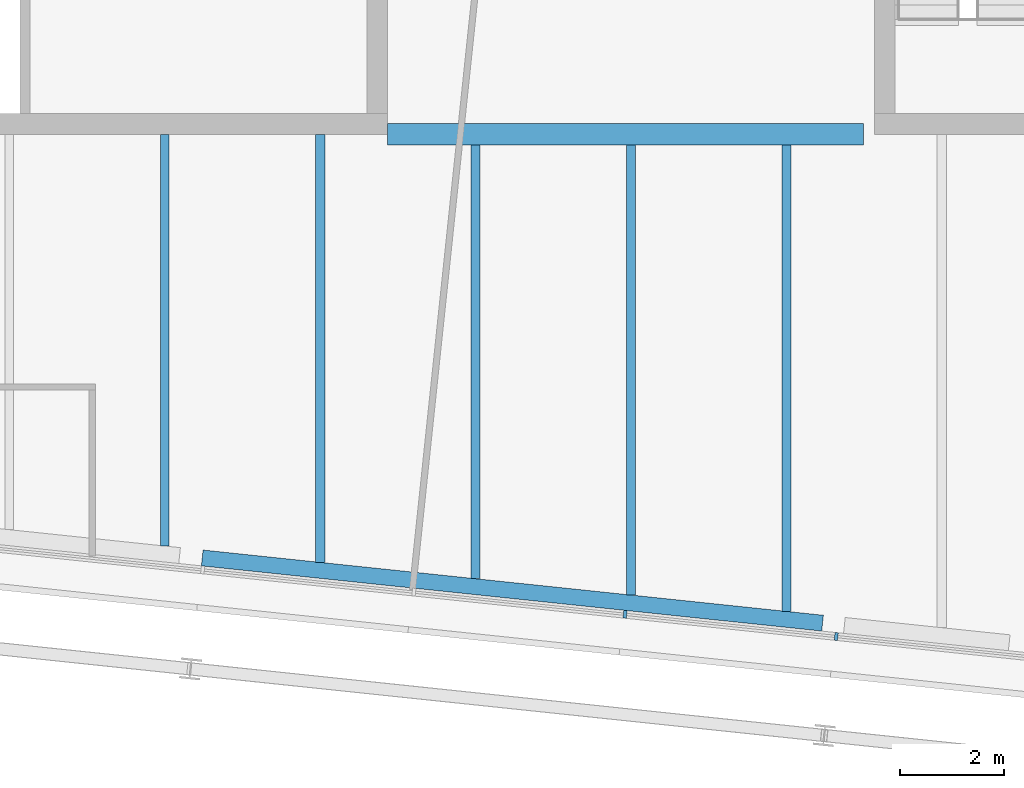
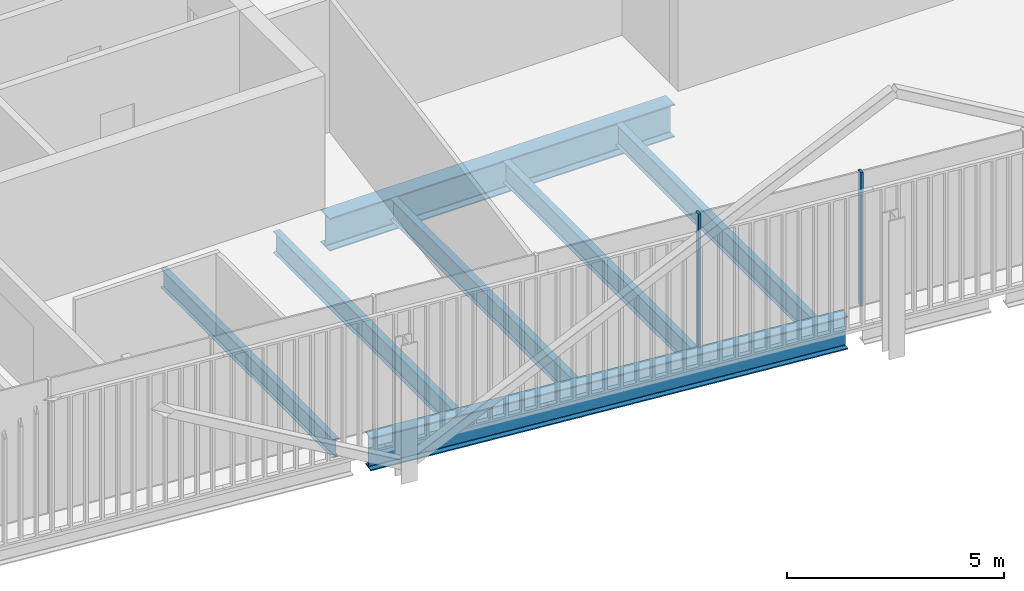
# One storey, part 5 of 21: 7 beams, 2 members, 1 element without a shape of its own.
"""IFC4 building model written with IfcOpenShell, lengths in metres."""

from ifc_helpers import new_model, si_unit, direction, frame, origin, origin_2d, place, context, subcontext, project, spatial, rectangle, i_section, extrude, material, layer, layer_set, material_profile, profile_set, type_object, element, aggregate, save


model = new_model("IFC4")

# Units and contexts
model_context = context("Model", 3, precision=1e-05, world=origin(), true_north=direction((0.0, 1.0)))
body_context = subcontext(model_context, "Body", "Model", "MODEL_VIEW")
ifc_project = project(units=[si_unit("LENGTHUNIT", "METRE"), si_unit("AREAUNIT", "SQUARE_METRE"), si_unit("VOLUMEUNIT", "CUBIC_METRE"), si_unit("PLANEANGLEUNIT", "RADIAN"), si_unit("MASSUNIT", "GRAM", prefix="KILO")], contexts=[model_context])

# Site, building, storey
site_placement = place(None, origin())
site = spatial("IfcSite", under=ifc_project, at=site_placement, CompositionType="ELEMENT")
building_placement = place(site_placement, origin())
building = spatial("IfcBuilding", under=site, at=building_placement, Name="Millrace Tower", CompositionType="ELEMENT")
storey_placement = place(building_placement, frame((0.0, 0.0, 276.0)))
storey = spatial("IfcBuildingStorey", under=building, at=storey_placement, Name="L63", CompositionType="ELEMENT", Elevation=276.0)

# Curtain wall, members
ifc_material_1 = material(Name="Aluminium and glass", Category="aluminium")
ifc_layer = layer(ifc_material_1, 0.14990234375)
ifc_layer_set = layer_set([ifc_layer], Name="Aluminium and glass")
curtain_wall_type = type_object("IfcCurtainWallType", Name="CW-1 office vision curtain wall", PredefinedType="NOTDEFINED", material=ifc_layer_set)
curtain_wall_placement = place(storey_placement, origin())
curtain_wall = element("IfcCurtainWall", 1, at=curtain_wall_placement, inside=storey, type_object=curtain_wall_type, Name="Curtain wall E-F02 L63", PredefinedType="NOTDEFINED")
ifc_material_2 = material(Name="Aluminium", Category="aluminium")
ifc_material_profile_1 = material_profile(ifc_material_2, rectangle(XDim=0.06494140625, YDim=0.14990234375, at=origin_2d()))
ifc_profile_set_1 = profile_set([ifc_material_profile_1], Name="Aluminium")
member_type = type_object("IfcMemberType", Name="CW-1 office vision curtain wall mullion", PredefinedType="MULLION", material=ifc_profile_set_1)
member_1_placement = place(storey_placement, frame((-0.11474609375, -18.567626953125, 0.139892578125), z_axis=(0.0, 0.0, 1.0), x_axis=(0.994521896217, -0.104528455196, 0.0)))
member_1 = element("IfcMember", 2, at=member_1_placement, type_object=member_type, Name="CW1 mullion E-F02.6", PredefinedType="MULLION", context=body_context, shape_type="SweptSolid", body=[
    extrude(rectangle(XDim=0.06494140625, YDim=0.14990234375, at=origin_2d()), origin(), (0.0, 0.0, 1.0), 3.760009765625),
])
member_2_placement = place(storey_placement, frame((3.962890625, -18.99609375, 0.139892578125), z_axis=(0.0, 0.0, 1.0), x_axis=(0.994521896217, -0.104528455196, 0.0)))
member_2 = element("IfcMember", 3, at=member_2_placement, type_object=member_type, Name="CW1 mullion E-F02.7", PredefinedType="MULLION", context=body_context, shape_type="SweptSolid", body=[
    extrude(rectangle(XDim=0.06494140625, YDim=0.14990234375, at=origin_2d()), origin(), (0.0, 0.0, 1.0), 3.760009765625),
])
aggregate(curtain_wall, [member_1, member_2])

# Beams
ifc_material_3 = material(Name="Steel ASTM A992 Grade 50", Category="steel")
ifc_material_profile_2 = material_profile(ifc_material_3, i_section(OverallWidth=0.1650390625, OverallDepth=0.52587890625, WebThickness=0.0087890625, FlangeThickness=0.011474609375, FilletRadius=0.0126953125, at=origin_2d()))
ifc_profile_set_2 = profile_set([ifc_material_profile_2], Name="Steel ASTM A992 Grade 50")
beam_type_1 = type_object("IfcBeamType", Name="Floor beam W21x44", PredefinedType="JOIST", material=ifc_profile_set_2)
beam_1_placement = place(storey_placement, frame((-9.0, -17.249267578125, -0.4228515625), z_axis=(0.0, 1.0, 0.0), x_axis=(-1.0, 0.0, 0.0)))
element("IfcBeam", 4, at=beam_1_placement, inside=storey, type_object=beam_type_1, Name="BM-E-L63-S1-S039", PredefinedType="JOIST", context=body_context, shape_type="SweptSolid", body=[
    extrude(i_section(OverallWidth=0.1650390625, OverallDepth=0.52587890625, WebThickness=0.0087890625, FlangeThickness=0.011474609375, FilletRadius=0.0126953125, at=origin_2d()), origin(), (0.0, 0.0, 1.0), 7.94921875),
])
ifc_material_4 = material(Name="Steel ASTM A992 Grade 50", Category="steel")
ifc_material_profile_3 = material_profile(ifc_material_4, i_section(OverallWidth=0.177978515625, OverallDepth=0.599365234375, WebThickness=0.010009765625, FlangeThickness=0.012939453125, FilletRadius=0.012939453125, at=origin_2d()))
ifc_profile_set_3 = profile_set([ifc_material_profile_3], Name="Steel ASTM A992 Grade 50")
beam_type_2 = type_object("IfcBeamType", Name="Floor beam W24x55", PredefinedType="JOIST", material=ifc_profile_set_3)
beam_2_placement = place(storey_placement, frame((-6.0, -17.564697265625, -0.459716796875), z_axis=(0.0, 1.0, 0.0), x_axis=(-1.0, 0.0, 0.0)))
element("IfcBeam", 5, at=beam_2_placement, inside=storey, type_object=beam_type_2, Name="BM-E-L63-S1-S041", PredefinedType="JOIST", context=body_context, shape_type="SweptSolid", body=[
    extrude(i_section(OverallWidth=0.177978515625, OverallDepth=0.599365234375, WebThickness=0.010009765625, FlangeThickness=0.012939453125, FilletRadius=0.012939453125, at=origin_2d()), origin(), (0.0, 0.0, 1.0), 8.2646484375),
])
beam_3_placement = place(storey_placement, frame((-3.0, -17.8798828125, -0.459716796875), z_axis=(0.0, 1.0, 0.0), x_axis=(-1.0, 0.0, 0.0)))
element("IfcBeam", 6, at=beam_3_placement, inside=storey, type_object=beam_type_2, Name="BM-E-L63-S1-S043", PredefinedType="JOIST", context=body_context, shape_type="SweptSolid", body=[
    extrude(i_section(OverallWidth=0.177978515625, OverallDepth=0.599365234375, WebThickness=0.010009765625, FlangeThickness=0.012939453125, FilletRadius=0.012939453125, at=origin_2d()), origin(), (0.0, 0.0, 1.0), 8.370361328125),
])
beam_4_placement = place(storey_placement, frame((0.0, -18.1953125, -0.459716796875), z_axis=(0.0, 1.0, 0.0), x_axis=(-1.0, 0.0, 0.0)))
element("IfcBeam", 7, at=beam_4_placement, inside=storey, type_object=beam_type_2, Name="BM-E-L63-S1-S045", PredefinedType="JOIST", context=body_context, shape_type="SweptSolid", body=[
    extrude(i_section(OverallWidth=0.177978515625, OverallDepth=0.599365234375, WebThickness=0.010009765625, FlangeThickness=0.012939453125, FilletRadius=0.012939453125, at=origin_2d()), origin(), (0.0, 0.0, 1.0), 8.685791015625),
])
beam_5_placement = place(storey_placement, frame((3.0, -18.510498046875, -0.459716796875), z_axis=(0.0, 1.0, 0.0), x_axis=(-1.0, 0.0, 0.0)))
element("IfcBeam", 8, at=beam_5_placement, inside=storey, type_object=beam_type_2, Name="BM-E-L63-S1-S047", PredefinedType="JOIST", context=body_context, shape_type="SweptSolid", body=[
    extrude(i_section(OverallWidth=0.177978515625, OverallDepth=0.599365234375, WebThickness=0.010009765625, FlangeThickness=0.012939453125, FilletRadius=0.012939453125, at=origin_2d()), origin(), (0.0, 0.0, 1.0), 9.0009765625),
])
ifc_material_5 = material(Name="Steel ASTM A992 Grade 50", Category="steel")
ifc_material_profile_4 = material_profile(ifc_material_5, i_section(OverallWidth=0.419189453125, OverallDepth=0.927001953125, WebThickness=0.019287109375, FlangeThickness=0.031982421875, FilletRadius=0.024169921875, at=origin_2d()))
ifc_profile_set_4 = profile_set([ifc_material_profile_4], Name="Steel ASTM A992 Grade 50")
beam_type_3 = type_object("IfcBeamType", Name="Girder short span W36x231", PredefinedType="BEAM", material=ifc_profile_set_4)
beam_6_placement = place(storey_placement, frame((-4.699951171875, -9.300048828125, -0.62353515625), z_axis=(1.0, 0.0, 0.0), x_axis=(0.0, 1.0, 0.0)))
element("IfcBeam", 9, at=beam_6_placement, inside=storey, type_object=beam_type_3, Name="BM-E-L63-S1-G059", PredefinedType="BEAM", context=body_context, shape_type="SweptSolid", body=[
    extrude(i_section(OverallWidth=0.419189453125, OverallDepth=0.927001953125, WebThickness=0.019287109375, FlangeThickness=0.031982421875, FilletRadius=0.024169921875, at=origin_2d()), origin(), (0.0, 0.0, 1.0), 9.18701171875),
])
ifc_material_6 = material(Name="Steel ASTM A992 Grade 50", Category="steel")
ifc_material_profile_5 = material_profile(ifc_material_6, i_section(OverallWidth=0.307373046875, OverallDepth=0.927001953125, WebThickness=0.01953125, FlangeThickness=0.031982421875, FilletRadius=0.01904296875, at=origin_2d()))
ifc_profile_set_5 = profile_set([ifc_material_profile_5], Name="Steel ASTM A992 Grade 50")
beam_type_4 = type_object("IfcBeamType", Name="Ring beam medium span W36x194", PredefinedType="SPANDREL", material=ifc_profile_set_5)
beam_7_placement = place(storey_placement, frame((3.69775390625, -18.738525390625, -0.62353515625), z_axis=(-0.994521438339, 0.104532811515, 0.0), x_axis=(-0.104532811515, -0.994521438339, 0.0)))
element("IfcBeam", 10, at=beam_7_placement, inside=storey, type_object=beam_type_4, Name="RNG-E-L63-S1-14", PredefinedType="SPANDREL", context=body_context, shape_type="SweptSolid", body=[
    extrude(i_section(OverallWidth=0.307373046875, OverallDepth=0.927001953125, WebThickness=0.01953125, FlangeThickness=0.031982421875, FilletRadius=0.01904296875, at=origin_2d()), origin(), (0.0, 0.0, 1.0), 12.0419921875),
])

save(model, "model.ifc")
